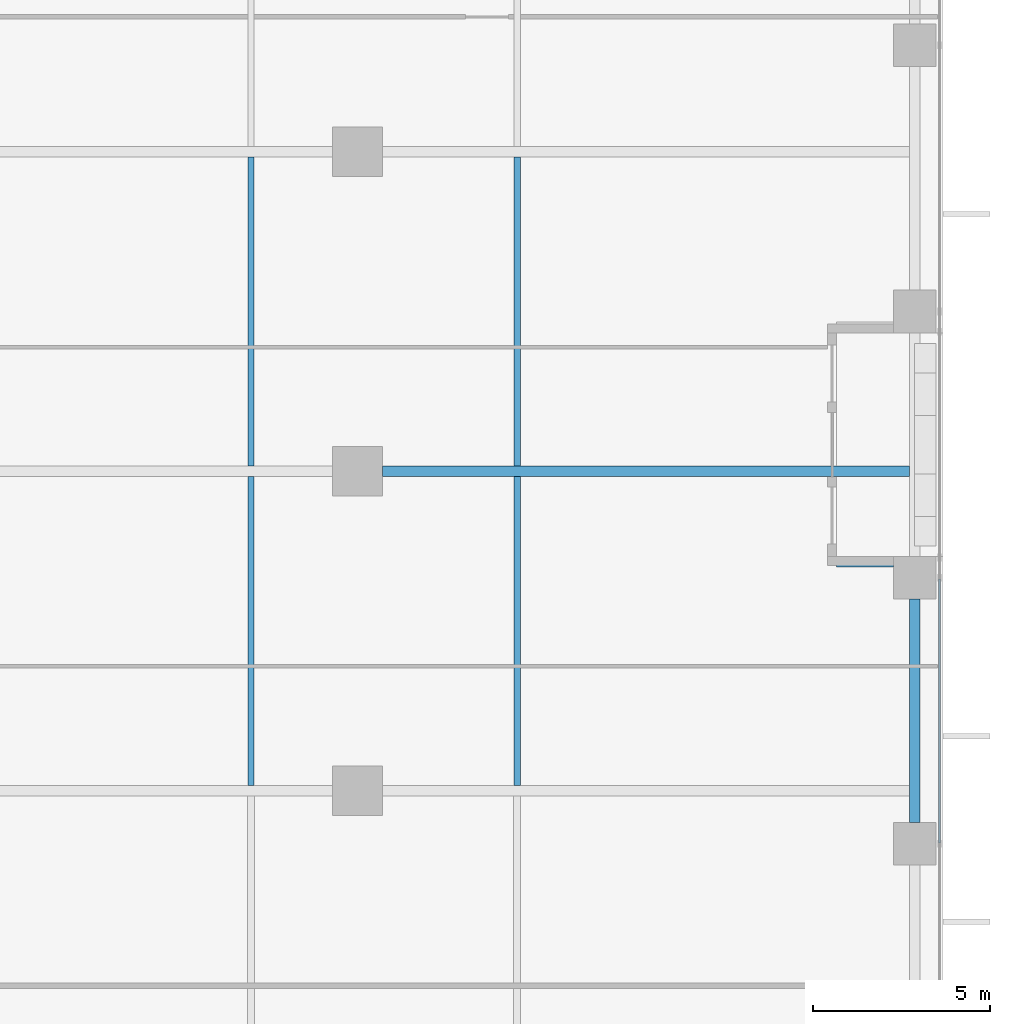
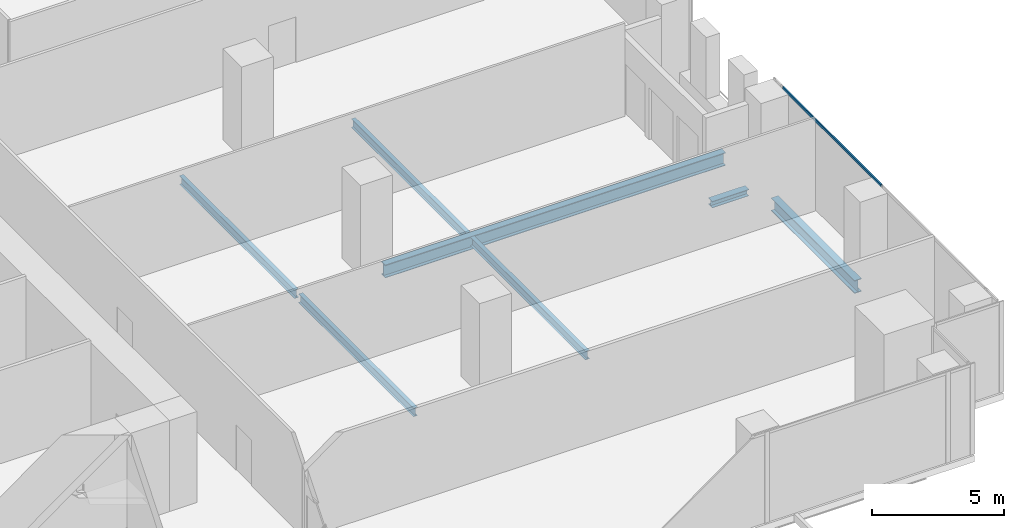
# One storey, part 10 of 32: 7 beams, 1 member, 1 element without a shape of its own.
"""IFC4 building model written with IfcOpenShell, lengths in metres."""

from ifc_helpers import new_model, si_unit, direction, frame, origin, origin_2d, place, context, subcontext, project, spatial, hollow_rectangle, i_section, extrude, source, transform, mapped, material, material_profile, profile_set, type_object, element, aggregate, save


model = new_model("IFC4")

# Units and contexts
model_context = context("Model", 3, precision=1e-05, world=origin(), true_north=direction((0.0, 1.0)))
body_context = subcontext(model_context, "Body", "Model", "MODEL_VIEW")
ifc_project = project(units=[si_unit("LENGTHUNIT", "METRE"), si_unit("AREAUNIT", "SQUARE_METRE"), si_unit("VOLUMEUNIT", "CUBIC_METRE"), si_unit("PLANEANGLEUNIT", "RADIAN"), si_unit("MASSUNIT", "GRAM", prefix="KILO")], contexts=[model_context])

# Site, building, storey
site_placement = place(None, origin())
site = spatial("IfcSite", under=ifc_project, at=site_placement, CompositionType="ELEMENT")
building_placement = place(site_placement, origin())
building = spatial("IfcBuilding", under=site, at=building_placement, Name="Khomas Fold Tower", CompositionType="ELEMENT")
storey_placement = place(building_placement, frame((0.0, 0.0, 42.0)))
storey = spatial("IfcBuildingStorey", under=building, at=storey_placement, Name="L08", CompositionType="ELEMENT", Elevation=42.0)

# Beams
ifc_material_1 = material(Name="Steel S355", Category="steel")
ifc_material_profile_1 = material_profile(ifc_material_1, i_section(OverallWidth=0.179931640625, OverallDepth=0.39990234375, WebThickness=0.008544921875, FlangeThickness=0.013427734375, at=origin_2d()), Name="IPE 400")
ifc_profile_set_1 = profile_set([ifc_material_profile_1], Name="Steel S355")
beam_type_1 = type_object("IfcBeamType", Name="IPE 400 beam JB3", PredefinedType="BEAM", material=ifc_profile_set_1)
shared_shape_1 = source(origin(), body_context, "Body", "SweptSolid", [
    extrude(i_section(OverallWidth=0.179931640625, OverallDepth=0.39990234375, WebThickness=0.008544921875, FlangeThickness=0.013427734375, at=origin_2d()), origin(), (0.0, 0.0, 1.0), 8.7001953125),
])
for number, where, z_axis, x_axis, name in (
    (1, (34.5, 13.64990234375, -0.5), (0.0, 1.0, 0.0), (-1.0, 0.0, 0.0), "JB3"),
    (2, (34.5, 22.64990234375, -0.5), (0.0, 1.0, 0.0), (-1.0, 0.0, 0.0), "JB3"),
    (3, (42.0, 13.64990234375, -0.5), (0.0, 1.0, 0.0), (-1.0, 0.0, 0.0), "JB3"),
    (4, (42.0, 22.64990234375, -0.5), (0.0, 1.0, 0.0), (-1.0, 0.0, 0.0), "JB3"),
):
    element("IfcBeam", number, at=place(storey_placement, frame(where, z_axis=z_axis, x_axis=x_axis)), inside=storey, type_object=beam_type_1, Name=name, PredefinedType="BEAM", context=body_context, shape_type="MappedRepresentation", body=[
        mapped(shared_shape_1, transform((0.0, 0.0, 0.0))),
    ])
ifc_material_2 = material(Name="Steel S355", Category="steel")
ifc_material_profile_2 = material_profile(ifc_material_2, i_section(OverallWidth=0.300048828125, OverallDepth=0.60009765625, WebThickness=0.015380859375, FlangeThickness=0.030029296875, at=origin_2d()), Name="HE 600 B")
ifc_profile_set_2 = profile_set([ifc_material_profile_2], Name="Steel S355")
beam_type_2 = type_object("IfcBeamType", Name="HE 600 B spandrel SB1", PredefinedType="SPANDREL", material=ifc_profile_set_2)
shared_shape_2 = source(origin(), body_context, "Body", "SweptSolid", [
    extrude(i_section(OverallWidth=0.300048828125, OverallDepth=0.60009765625, WebThickness=0.015380859375, FlangeThickness=0.030029296875, at=origin_2d()), origin(), (0.0, 0.0, 1.0), 6.2998046875),
])
beam_1_placement = place(storey_placement, frame((53.199951171875, 12.60009765625, -0.60009765625), z_axis=(0.0, 1.0, 0.0), x_axis=(-1.0, 0.0, 0.0)))
element("IfcBeam", 5, at=beam_1_placement, inside=storey, type_object=beam_type_2, Name="SB1", PredefinedType="SPANDREL", context=body_context, shape_type="MappedRepresentation", body=[
    mapped(shared_shape_2, transform((0.0, 0.0, 0.0))),
])
ifc_material_3 = material(Name="Steel S355", Category="steel")
ifc_material_profile_3 = material_profile(ifc_material_3, i_section(OverallWidth=0.300048828125, OverallDepth=0.60009765625, WebThickness=0.015380859375, FlangeThickness=0.030029296875, at=origin_2d()), Name="HE 600 B")
ifc_profile_set_3 = profile_set([ifc_material_profile_3], Name="Steel S355")
beam_type_3 = type_object("IfcBeamType", Name="HE 600 B beam GB5", PredefinedType="BEAM", material=ifc_profile_set_3)
shared_shape_3 = source(origin(), body_context, "Body", "SweptSolid", [
    extrude(i_section(OverallWidth=0.300048828125, OverallDepth=0.60009765625, WebThickness=0.015380859375, FlangeThickness=0.030029296875, at=origin_2d()), origin(), (0.0, 0.0, 1.0), 14.85009765625),
])
beam_2_placement = place(storey_placement, frame((38.199951171875, 22.5, -0.60009765625), z_axis=(1.0, 0.0, 0.0), x_axis=(0.0, 1.0, 0.0)))
element("IfcBeam", 6, at=beam_2_placement, inside=storey, type_object=beam_type_3, Name="GB5", PredefinedType="BEAM", context=body_context, shape_type="MappedRepresentation", body=[
    mapped(shared_shape_3, transform((0.0, 0.0, 0.0))),
])
ifc_material_4 = material(Name="Steel S355", Category="steel")
ifc_material_profile_4 = material_profile(ifc_material_4, i_section(OverallWidth=0.300048828125, OverallDepth=0.300048828125, WebThickness=0.010986328125, FlangeThickness=0.01904296875, at=origin_2d()), Name="HE 300 B")
ifc_profile_set_4 = profile_set([ifc_material_profile_4], Name="Steel S355")
beam_type_4 = type_object("IfcBeamType", Name="HE 300 B beam BB1", PredefinedType="BEAM", material=ifc_profile_set_4)
shared_shape_4 = source(origin(), body_context, "Body", "SweptSolid", [
    extrude(i_section(OverallWidth=0.300048828125, OverallDepth=0.300048828125, WebThickness=0.010986328125, FlangeThickness=0.01904296875, at=origin_2d()), origin(), (0.0, 0.0, 1.0), 1.60009765625),
])
beam_3_placement = place(storey_placement, frame((51.0, 19.949951171875, -0.449951171875), z_axis=(1.0, 0.0, 0.0), x_axis=(0.0, 1.0, 0.0)))
element("IfcBeam", 7, at=beam_3_placement, inside=storey, type_object=beam_type_4, Name="BB1", PredefinedType="BEAM", context=body_context, shape_type="MappedRepresentation", body=[
    mapped(shared_shape_4, transform((0.0, 0.0, 0.0))),
])

# Curtain wall, member
ifc_material_5 = material(Name="Aluminium framed double glazing", Category="aluminium")
curtain_wall_type = type_object("IfcCurtainWallType", Name="SK-Unitised clear-glass wall, growing floors CW1", PredefinedType="NOTDEFINED", material=ifc_material_5)
curtain_wall_placement = place(storey_placement, origin())
curtain_wall = element("IfcCurtainWall", 8, at=curtain_wall_placement, inside=storey, type_object=curtain_wall_type, Name="CW1 run L08 03-0", PredefinedType="NOTDEFINED")
ifc_material_6 = material(Name="Aluminium", Category="aluminium")
ifc_material_profile_5 = material_profile(ifc_material_6, hollow_rectangle(XDim=0.06005859375, YDim=0.1201171875, WallThickness=0.00390625, at=origin_2d()), Name="SK-Unitised clear-glass wall, growing floors transom CW1-T")
ifc_profile_set_5 = profile_set([ifc_material_profile_5], Name="Aluminium")
member_type = type_object("IfcMemberType", Name="SK-Unitised clear-glass wall, growing floors transom CW1-T", PredefinedType="USERDEFINED", material=ifc_profile_set_5)
shared_shape_5 = source(origin(), body_context, "Body", "SweptSolid", [
    extrude(hollow_rectangle(XDim=0.06005859375, YDim=0.1201171875, WallThickness=0.00390625, at=origin_2d()), origin(), (0.0, 0.0, 1.0), 7.43994140625),
])
member_placement = place(storey_placement, frame((53.89990234375, 12.030029296875, 4.139892578125), z_axis=(0.0, 1.0, 0.0), x_axis=(-1.0, 0.0, 0.0)))
member = element("IfcMember", 9, at=member_placement, type_object=member_type, Name="CW1 transom 3", ObjectType="TRANSOM", PredefinedType="USERDEFINED", context=body_context, shape_type="MappedRepresentation", body=[
    mapped(shared_shape_5, transform((0.0, 0.0, 0.0))),
])
aggregate(curtain_wall, [member])

save(model, "model.ifc")
